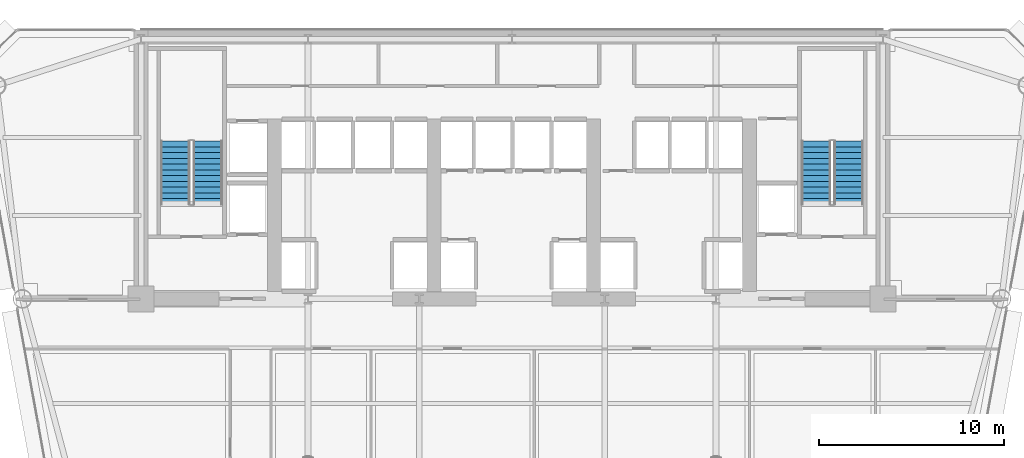
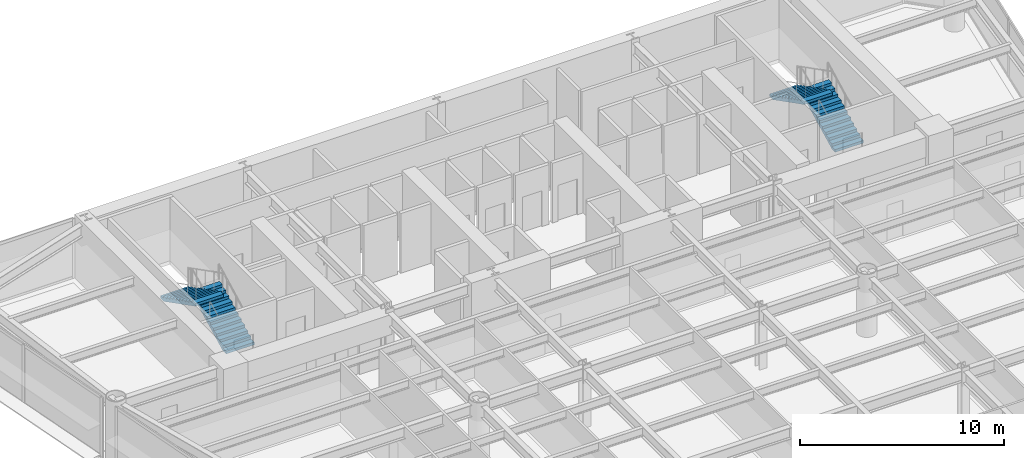
# One storey, part 11 of 15: 4 stair flights, 2 elements without a shape of their own.
"""IFC4 building model written with IfcOpenShell, lengths in metres."""

from ifc_helpers import new_model, si_unit, direction, frame, origin, place, context, subcontext, project, spatial, polyline, outline, extrude, material, type_object, element, aggregate, save


model = new_model("IFC4")

# Units and contexts
model_context = context("Model", 3, precision=1e-05, world=origin(), true_north=direction((0.0, 1.0)))
body_context = subcontext(model_context, "Body", "Model", "MODEL_VIEW")
ifc_project = project(units=[si_unit("LENGTHUNIT", "METRE"), si_unit("AREAUNIT", "SQUARE_METRE"), si_unit("VOLUMEUNIT", "CUBIC_METRE"), si_unit("PLANEANGLEUNIT", "RADIAN"), si_unit("MASSUNIT", "GRAM", prefix="KILO")], contexts=[model_context])

# Site, building, storey
site_placement = place(None, origin())
site = spatial("IfcSite", under=ifc_project, at=site_placement, CompositionType="ELEMENT")
building_placement = place(site_placement, origin())
building = spatial("IfcBuilding", under=site, at=building_placement, Name="Vaeldorn Concourse Tower", CompositionType="ELEMENT")
storey_placement = place(building_placement, frame((0.0, 0.0, 103.39990234375)))
storey = spatial("IfcBuildingStorey", under=building, at=storey_placement, Name="L26", CompositionType="ELEMENT", Elevation=103.39990234375)

# Stair, stair flights
ifc_material = material(Name="Precast concrete C40/50", Category="concrete")
stair_type = type_object("IfcStairType", Name="STR-DOG-24x158", PredefinedType="HALF_TURN_STAIR", material=ifc_material)
stair_1_placement = place(storey_placement, origin())
stair_1 = element("IfcStair", 1, at=stair_1_placement, inside=storey, type_object=stair_type, Name="L26 West Core Exit Stair ST-1", PredefinedType="HALF_TURN_STAIR")
stair_flight_type = type_object("IfcStairFlightType", Name="STF-STR-12x158", PredefinedType="STRAIGHT", material=ifc_material)
stair_flight_1_placement = place(storey_placement, frame((17.60009765625, 41.60009765625, 0.0), z_axis=(0.0, 0.0, 1.0), x_axis=(0.0, 1.0, 0.0)))
stair_flight_1 = element("IfcStairFlight", 2, at=stair_flight_1_placement, type_object=stair_flight_type, Name="ST-1 flight 1", NumberOfRisers=12, NumberOfTreads=11, PredefinedType="STRAIGHT", RiserHeight=0.158333333, TreadLength=0.31, context=body_context, shape_type="SweptSolid", body=[
    extrude(outline(polyline([(0.0, 0.0), (0.0, 0.158447265625), (0.31005859375, 0.158447265625), (0.31005859375, 0.316650390625), (0.6201171875, 0.316650390625), (0.6201171875, 0.47509765625), (0.929931640625, 0.47509765625), (0.929931640625, 0.63330078125), (1.239990234375, 0.63330078125), (1.239990234375, 0.791748046875), (1.550048828125, 0.791748046875), (1.550048828125, 0.949951171875), (1.860107421875, 0.949951171875), (1.860107421875, 1.1083984375), (2.169921875, 1.1083984375), (2.169921875, 1.2666015625), (2.47998046875, 1.2666015625), (2.47998046875, 1.425048828125), (2.7900390625, 1.425048828125), (2.7900390625, 1.583251953125), (3.10009765625, 1.583251953125), (3.10009765625, 1.74169921875), (3.409912109375, 1.74169921875), (3.409912109375, 1.89990234375), (3.409912109375, 1.5732421875), (0.32958984375, 0.0), (0.0, 0.0)])), frame((0.0, 0.800048828125, 0.0), z_axis=(0.0, -1.0, 0.0), x_axis=(1.0, 0.0, 0.0)), (0.0, 0.0, 1.0), 1.60009765625),
])
stair_flight_2_placement = place(storey_placement, frame((15.85009765625, 45.010009765625, 1.900146484375), z_axis=(0.0, 0.0, 1.0), x_axis=(0.0, -1.0, 0.0)))
stair_flight_2 = element("IfcStairFlight", 3, at=stair_flight_2_placement, type_object=stair_flight_type, Name="ST-1 flight 2", NumberOfRisers=12, NumberOfTreads=11, PredefinedType="STRAIGHT", RiserHeight=0.158333333, TreadLength=0.31, context=body_context, shape_type="SweptSolid", body=[
    extrude(outline(polyline([(0.0, 0.0), (0.0, 0.158447265625), (0.31005859375, 0.158447265625), (0.31005859375, 0.316650390625), (0.6201171875, 0.316650390625), (0.6201171875, 0.47509765625), (0.929931640625, 0.47509765625), (0.929931640625, 0.63330078125), (1.239990234375, 0.63330078125), (1.239990234375, 0.791748046875), (1.550048828125, 0.791748046875), (1.550048828125, 0.949951171875), (1.860107421875, 0.949951171875), (1.860107421875, 1.1083984375), (2.169921875, 1.1083984375), (2.169921875, 1.2666015625), (2.47998046875, 1.2666015625), (2.47998046875, 1.425048828125), (2.7900390625, 1.425048828125), (2.7900390625, 1.583251953125), (3.10009765625, 1.583251953125), (3.10009765625, 1.74169921875), (3.409912109375, 1.74169921875), (3.409912109375, 1.89990234375), (3.409912109375, 1.5732421875), (0.32958984375, 0.0), (0.0, 0.0)])), frame((0.0, 0.800048828125, 0.0), z_axis=(0.0, -1.0, 0.0), x_axis=(1.0, 0.0, 0.0)), (0.0, 0.0, 1.0), 1.60009765625),
])
aggregate(stair_1, [stair_flight_1, stair_flight_2])

stair_2_placement = place(storey_placement, origin())
stair_2 = element("IfcStair", 4, at=stair_2_placement, inside=storey, type_object=stair_type, Name="L26 East Core Exit Stair ST-2", PredefinedType="HALF_TURN_STAIR")
stair_flight_3_placement = place(storey_placement, frame((52.14990234375, 41.60009765625, 0.0), z_axis=(0.0, 0.0, 1.0), x_axis=(0.0, 1.0, 0.0)))
stair_flight_3 = element("IfcStairFlight", 5, at=stair_flight_3_placement, type_object=stair_flight_type, Name="ST-2 flight 1", NumberOfRisers=12, NumberOfTreads=11, PredefinedType="STRAIGHT", RiserHeight=0.158333333, TreadLength=0.31, context=body_context, shape_type="SweptSolid", body=[
    extrude(outline(polyline([(0.0, 0.0), (0.0, 0.158447265625), (0.31005859375, 0.158447265625), (0.31005859375, 0.316650390625), (0.6201171875, 0.316650390625), (0.6201171875, 0.47509765625), (0.929931640625, 0.47509765625), (0.929931640625, 0.63330078125), (1.239990234375, 0.63330078125), (1.239990234375, 0.791748046875), (1.550048828125, 0.791748046875), (1.550048828125, 0.949951171875), (1.860107421875, 0.949951171875), (1.860107421875, 1.1083984375), (2.169921875, 1.1083984375), (2.169921875, 1.2666015625), (2.47998046875, 1.2666015625), (2.47998046875, 1.425048828125), (2.7900390625, 1.425048828125), (2.7900390625, 1.583251953125), (3.10009765625, 1.583251953125), (3.10009765625, 1.74169921875), (3.409912109375, 1.74169921875), (3.409912109375, 1.89990234375), (3.409912109375, 1.5732421875), (0.32958984375, 0.0), (0.0, 0.0)])), frame((0.0, 0.800048828125, 0.0), z_axis=(0.0, -1.0, 0.0), x_axis=(1.0, 0.0, 0.0)), (0.0, 0.0, 1.0), 1.60009765625),
])
stair_flight_4_placement = place(storey_placement, frame((50.39990234375, 45.010009765625, 1.900146484375), z_axis=(0.0, 0.0, 1.0), x_axis=(0.0, -1.0, 0.0)))
stair_flight_4 = element("IfcStairFlight", 6, at=stair_flight_4_placement, type_object=stair_flight_type, Name="ST-2 flight 2", NumberOfRisers=12, NumberOfTreads=11, PredefinedType="STRAIGHT", RiserHeight=0.158333333, TreadLength=0.31, context=body_context, shape_type="SweptSolid", body=[
    extrude(outline(polyline([(0.0, 0.0), (0.0, 0.158447265625), (0.31005859375, 0.158447265625), (0.31005859375, 0.316650390625), (0.6201171875, 0.316650390625), (0.6201171875, 0.47509765625), (0.929931640625, 0.47509765625), (0.929931640625, 0.63330078125), (1.239990234375, 0.63330078125), (1.239990234375, 0.791748046875), (1.550048828125, 0.791748046875), (1.550048828125, 0.949951171875), (1.860107421875, 0.949951171875), (1.860107421875, 1.1083984375), (2.169921875, 1.1083984375), (2.169921875, 1.2666015625), (2.47998046875, 1.2666015625), (2.47998046875, 1.425048828125), (2.7900390625, 1.425048828125), (2.7900390625, 1.583251953125), (3.10009765625, 1.583251953125), (3.10009765625, 1.74169921875), (3.409912109375, 1.74169921875), (3.409912109375, 1.89990234375), (3.409912109375, 1.5732421875), (0.32958984375, 0.0), (0.0, 0.0)])), frame((0.0, 0.800048828125, 0.0), z_axis=(0.0, -1.0, 0.0), x_axis=(1.0, 0.0, 0.0)), (0.0, 0.0, 1.0), 1.60009765625),
])
aggregate(stair_2, [stair_flight_3, stair_flight_4])

save(model, "model.ifc")
